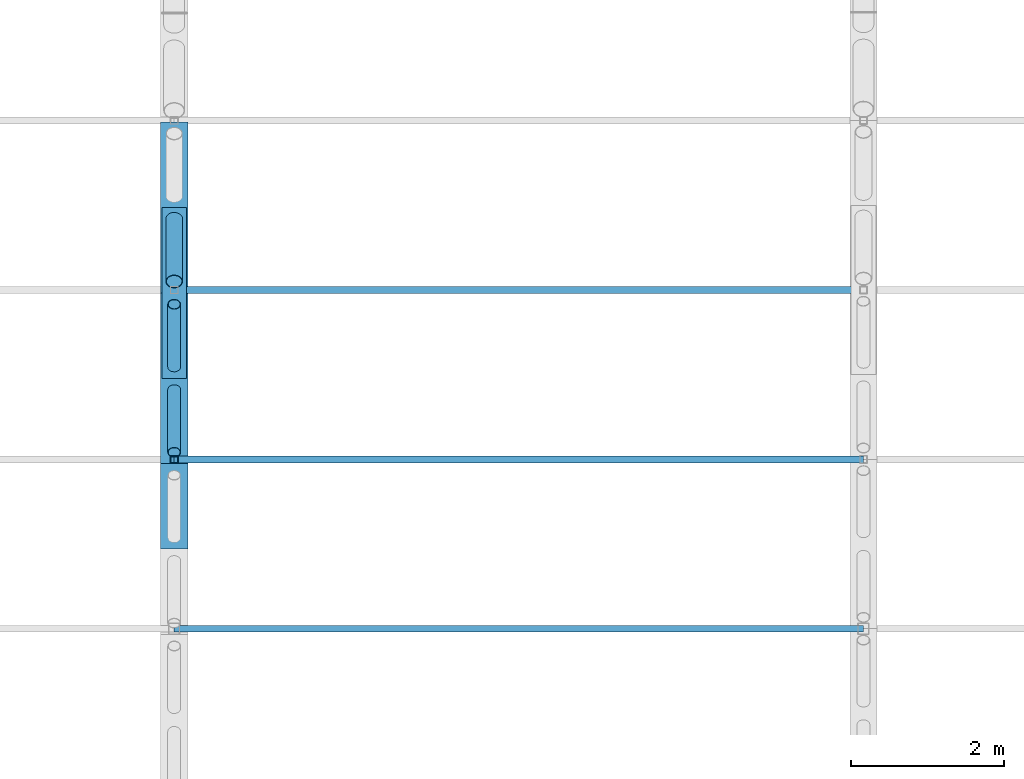
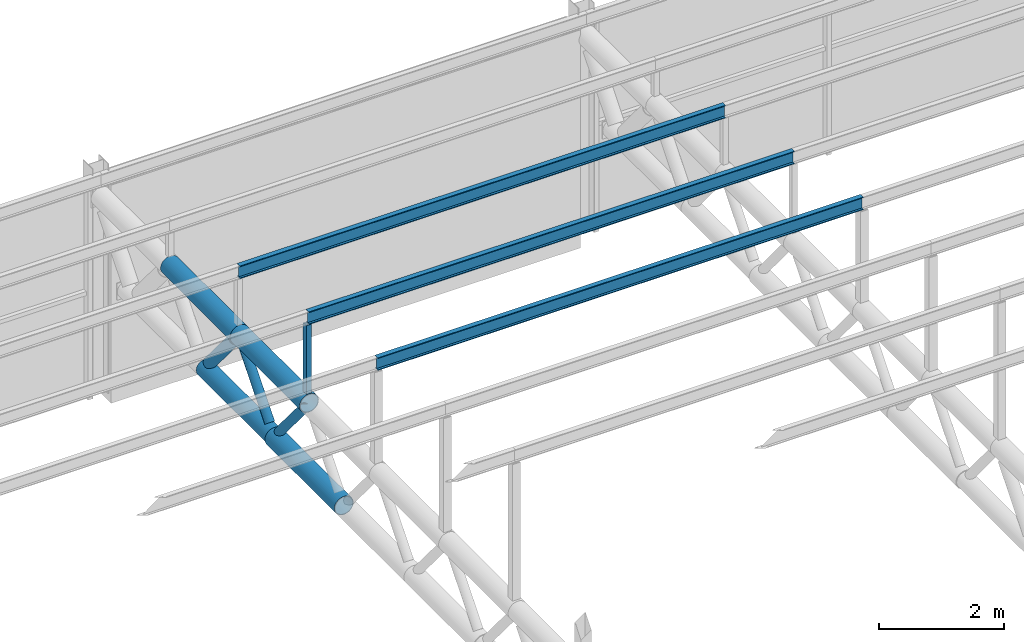
# One storey, part 49 of 138: 11 members.
"""IFC4 building model written with IfcOpenShell, lengths in metres."""

from ifc_helpers import new_model, si_unit, direction, frame, origin, origin_2d, place, context, subcontext, project, spatial, hollow_rectangle, hollow_circle, i_section, extrude, material, material_profile, profile_set, type_object, element, save


model = new_model("IFC4")

# Units and contexts
model_context = context("Model", 3, precision=1e-05, world=origin(), true_north=direction((0.0, 1.0)))
body_context = subcontext(model_context, "Body", "Model", "MODEL_VIEW")
ifc_project = project(units=[si_unit("LENGTHUNIT", "METRE"), si_unit("AREAUNIT", "SQUARE_METRE"), si_unit("VOLUMEUNIT", "CUBIC_METRE"), si_unit("PLANEANGLEUNIT", "RADIAN"), si_unit("MASSUNIT", "GRAM", prefix="KILO")], contexts=[model_context])

# Site, building, storey
site_placement = place(None, origin())
site = spatial("IfcSite", under=ifc_project, at=site_placement, CompositionType="ELEMENT")
building_placement = place(site_placement, origin())
building = spatial("IfcBuilding", under=site, at=building_placement, Name="Corbel Yard City Hall", CompositionType="ELEMENT")
storey_placement = place(building_placement, frame((0.0, 0.0, 10.5)))
storey = spatial("IfcBuildingStorey", under=building, at=storey_placement, Name="L02", CompositionType="ELEMENT", Elevation=10.5)

# Members
ifc_material_1 = material(Name="Steel Grade C350L0", Category="steel")
ifc_material_profile_1 = material_profile(ifc_material_1, hollow_circle(Radius=0.161865234375, WallThickness=0.0126953125, at=origin_2d()), Name="323.9x12.7CHS")
ifc_profile_set_1 = profile_set([ifc_material_profile_1], Name="Steel Grade C350L0")
member_type_1 = type_object("IfcMemberType", Name="Hall roof truss bottom chord 323.9x12.7CHS", PredefinedType="CHORD", material=ifc_profile_set_1)
member_1_placement = place(storey_placement, frame((90.0, 21.270263671875, 2.59228515625), z_axis=(0.0, 1.0, 0.0), x_axis=(-1.0, 0.0, 0.0)))
element("IfcMember", 1, at=member_1_placement, inside=storey, type_object=member_type_1, Name="Hall roof truss bottom chord 323.9x12.7CHS TC2", PredefinedType="CHORD", context=body_context, shape_type="SweptSolid", body=[
    extrude(hollow_circle(Radius=0.161865234375, WallThickness=0.0126953125, at=origin_2d()), origin(), (0.0, 0.0, 1.0), 2.230712890625),
])
ifc_material_profile_2 = material_profile(ifc_material_1, hollow_circle(Radius=0.177734375, WallThickness=0.0126953125, at=origin_2d()), Name="355.6x12.7CHS")
ifc_profile_set_2 = profile_set([ifc_material_profile_2], Name="Steel Grade C350L0")
member_type_2 = type_object("IfcMemberType", Name="Hall roof truss bottom chord 355.6x12.7CHS", PredefinedType="CHORD", material=ifc_profile_set_2)
member_2_placement = place(storey_placement, frame((90.0, 19.039306640625, 2.59228515625), z_axis=(0.0, 1.0, 0.0), x_axis=(-1.0, 0.0, 0.0)))
element("IfcMember", 2, at=member_2_placement, inside=storey, type_object=member_type_2, Name="Hall roof truss bottom chord 355.6x12.7CHS TC3", PredefinedType="CHORD", context=body_context, shape_type="SweptSolid", body=[
    extrude(hollow_circle(Radius=0.177734375, WallThickness=0.0126953125, at=origin_2d()), origin(), (0.0, 0.0, 1.0), 2.23095703125),
])
ifc_material_profile_3 = material_profile(ifc_material_1, hollow_circle(Radius=0.084228515625, WallThickness=0.007080078125, at=origin_2d()), Name="168.3x7.1CHS")
ifc_profile_set_3 = profile_set([ifc_material_profile_3], Name="Steel Grade C350L0")
member_type_3 = type_object("IfcMemberType", Name="Hall roof truss diagonal 168.3x7.1CHS", PredefinedType="STRUT", material=ifc_profile_set_3)
for number, where, z_axis, x_axis, name in (
    (3, (90.0, 20.3037109375, 3.744384765625), (0.0, 0.642692233301, -0.766124463292), (-1.0, 0.0, 0.0), "Hall roof truss diagonal 168.3x7.1CHS TD3"),
    (4, (90.0, 21.419189453125, 2.77001953125), (0.0, 0.642692233301, 0.766124463292), (-1.0, 0.0, 0.0), "Hall roof truss diagonal 168.3x7.1CHS TD3"),
):
    element("IfcMember", number, at=place(storey_placement, frame(where, z_axis=z_axis, x_axis=x_axis)), inside=storey, type_object=member_type_3, Name=name, PredefinedType="STRUT", context=body_context, shape_type="SweptSolid", body=[
        extrude(hollow_circle(Radius=0.084228515625, WallThickness=0.007080078125, at=origin_2d()), origin(), (0.0, 0.0, 1.0), 1.271728515625),
    ])
ifc_material_profile_4 = material_profile(ifc_material_1, hollow_circle(Radius=0.109619140625, WallThickness=0.00830078125, at=origin_2d()), Name="219.1x8.2CHS")
ifc_profile_set_4 = profile_set([ifc_material_profile_4], Name="Steel Grade C350L0")
member_type_4 = type_object("IfcMemberType", Name="Hall roof truss diagonal 219.1x8.2CHS", PredefinedType="STRUT", material=ifc_profile_set_4)
member_3_placement = place(storey_placement, frame((90.0, 22.53466796875, 3.744384765625), z_axis=(0.0, 0.642692233301, -0.766124463292), x_axis=(-1.0, 0.0, 0.0)))
element("IfcMember", 5, at=member_3_placement, inside=storey, type_object=member_type_4, Name="Hall roof truss diagonal 219.1x8.2CHS TD2", PredefinedType="STRUT", context=body_context, shape_type="SweptSolid", body=[
    extrude(hollow_circle(Radius=0.109619140625, WallThickness=0.00830078125, at=origin_2d()), origin(), (0.0, 0.0, 1.0), 1.271728515625),
])
ifc_material_profile_5 = material_profile(ifc_material_1, hollow_circle(Radius=0.177734375, WallThickness=0.0126953125, at=origin_2d()), Name="355.6x12.7CHS")
ifc_profile_set_5 = profile_set([ifc_material_profile_5], Name="Steel Grade C350L0")
member_type_5 = type_object("IfcMemberType", Name="Hall roof truss top chord 355.6x12.7CHS", PredefinedType="CHORD", material=ifc_profile_set_5)
member_4_placement = place(storey_placement, frame((90.0, 20.15478515625, 3.922119140625), z_axis=(0.0, 1.0, 0.0), x_axis=(-1.0, 0.0, 0.0)))
element("IfcMember", 6, at=member_4_placement, inside=storey, type_object=member_type_5, Name="Hall roof truss top chord 355.6x12.7CHS TC1", PredefinedType="CHORD", context=body_context, shape_type="SweptSolid", body=[
    extrude(hollow_circle(Radius=0.177734375, WallThickness=0.0126953125, at=origin_2d()), origin(), (0.0, 0.0, 1.0), 2.23095703125),
])
member_5_placement = place(storey_placement, frame((90.0, 22.3857421875, 3.922119140625), z_axis=(0.0, 1.0, 0.0), x_axis=(-1.0, 0.0, 0.0)))
element("IfcMember", 7, at=member_5_placement, inside=storey, type_object=member_type_5, Name="Hall roof truss top chord 355.6x12.7CHS TC1", PredefinedType="CHORD", context=body_context, shape_type="SweptSolid", body=[
    extrude(hollow_circle(Radius=0.177734375, WallThickness=0.0126953125, at=origin_2d()), origin(), (0.0, 0.0, 1.0), 2.230712890625),
])
ifc_material_2 = material(Name="Steel Grade 300 (300 MPa yield)", Category="steel")
ifc_material_profile_6 = material_profile(ifc_material_2, i_section(OverallWidth=0.090087890625, OverallDepth=0.25, WebThickness=0.008056640625, FlangeThickness=0.014892578125, at=origin_2d()), Name="250PFC")
ifc_profile_set_6 = profile_set([ifc_material_profile_6], Name="Steel Grade 300 (300 MPa yield)")
member_type_6 = type_object("IfcMemberType", Name="Purlin 250PFC", PredefinedType="PURLIN", material=ifc_profile_set_6)
for number, where, z_axis, x_axis, name in (
    (8, (90.0, 18.0, 6.01611328125), (1.0, 0.0, 0.0), (0.0, 1.0, 0.0), "Purlin 250PFC PU1"),
    (9, (90.0, 20.2119140625, 5.57373046875), (1.0, 0.0, 0.0), (0.0, 1.0, 0.0), "Purlin 250PFC PU1"),
    (10, (90.0, 22.423828125, 5.13134765625), (1.0, 0.0, 0.0), (0.0, 1.0, 0.0), "Purlin 250PFC PU1"),
):
    element("IfcMember", number, at=place(storey_placement, frame(where, z_axis=z_axis, x_axis=x_axis)), inside=storey, type_object=member_type_6, Name=name, PredefinedType="PURLIN", context=body_context, shape_type="SweptSolid", body=[
        extrude(i_section(OverallWidth=0.090087890625, OverallDepth=0.25, WebThickness=0.008056640625, FlangeThickness=0.014892578125, at=origin_2d()), origin(), (0.0, 0.0, 1.0), 9.0),
    ])
ifc_material_3 = material(Name="Steel Grade C450L0", Category="steel")
ifc_material_profile_7 = material_profile(ifc_material_3, hollow_rectangle(XDim=0.10009765625, YDim=0.10009765625, WallThickness=0.006103515625, at=origin_2d()), Name="100x100x6.0SHS")
ifc_profile_set_7 = profile_set([ifc_material_profile_7], Name="Steel Grade C450L0")
member_type_7 = type_object("IfcMemberType", Name="Roof post 100x100x6.0SHS", PredefinedType="POST", material=ifc_profile_set_7)
member_6_placement = place(storey_placement, frame((90.0, 20.2119140625, 4.10009765625), z_axis=(0.0, 0.0, 1.0), x_axis=(1.0, 0.0, 0.0)))
element("IfcMember", 11, at=member_6_placement, inside=storey, type_object=member_type_7, Name="Roof post 100x100x6.0SHS RP3", PredefinedType="POST", context=body_context, shape_type="SweptSolid", body=[
    extrude(hollow_rectangle(XDim=0.10009765625, YDim=0.10009765625, WallThickness=0.006103515625, at=origin_2d()), origin(), (0.0, 0.0, 1.0), 1.3486328125),
])

save(model, "model.ifc")
